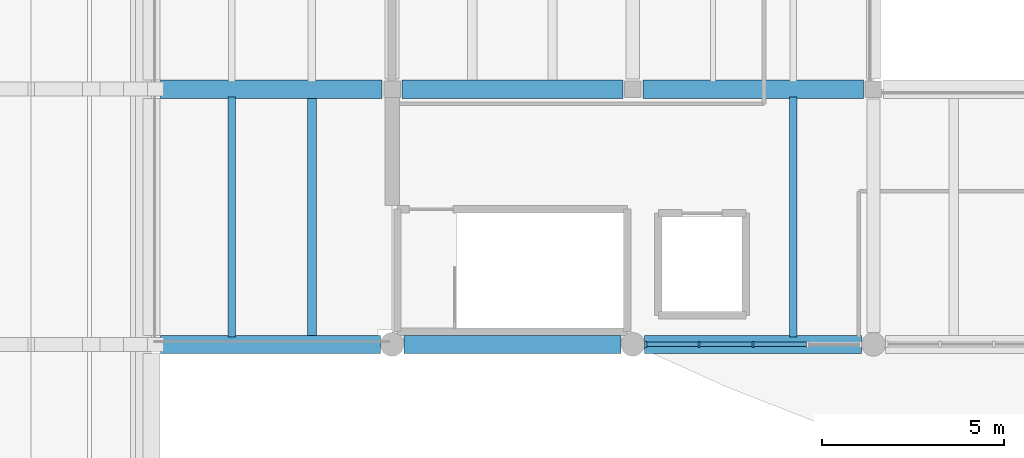
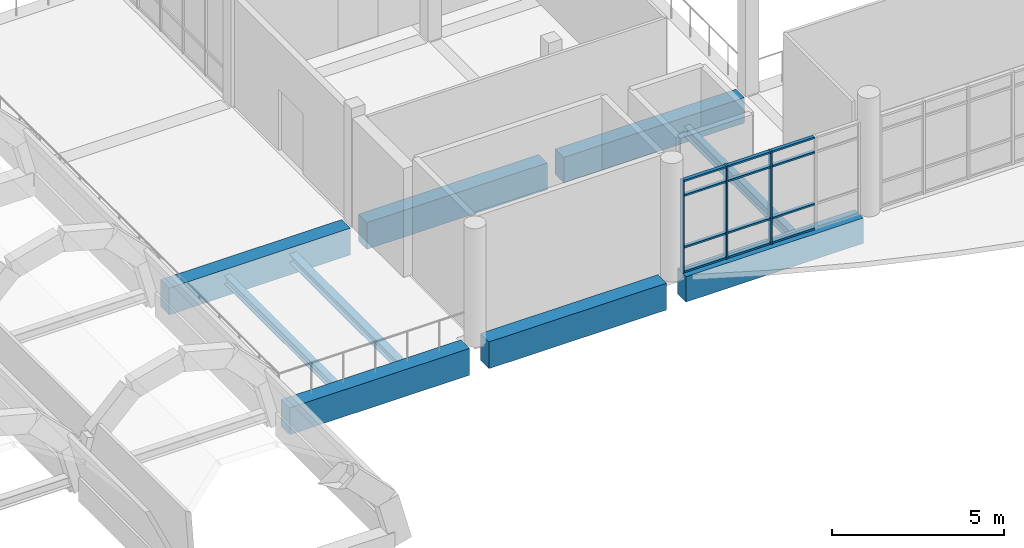
# One storey, part 3 of 92: 15 members, 9 beams, 1 element without a shape of its own.
"""IFC4 building model written with IfcOpenShell, lengths in metres."""

import ifcopenshell
import ifcopenshell.guid

model = None  # the IFC model being written
_history = None  # IfcOwnerHistory: only IFC2X3 demands one
_inside = {}  # id of a spatial element -> (the spatial element, [elements in it])
_under = {}  # id of a project, library or spatial element -> (it, [spatial elements below it])
_declared = {}  # id of a project -> (the project, [libraries it declares])
_typed = {}  # id of a type object -> (the type object, [elements of that type])
_made_of = {}  # id of a material, layer set ... -> (it, [elements and type objects made of it])


def new_model(schema):
    """Start an empty IFC model of exactly this schema.

    Asked for "IFC4X3", IfcOpenShell would pick the latest addendum, in which some entities
    have other attributes; the version numbers below select the first issue.
    IFC2X3 requires an IfcOwnerHistory on every rooted entity: one is made here for all.
    """
    global model, _history
    if schema == "IFC4X3":
        model = ifcopenshell.file(schema_version=(4, 3, 0, 0))
    else:
        model = ifcopenshell.file(schema=schema)
    _inside.clear()
    _under.clear()
    _declared.clear()
    _typed.clear()
    _made_of.clear()
    _history = None
    if model.schema == "IFC2X3":
        org = make("IfcOrganization", Name="unknown")
        user = make(
            "IfcPersonAndOrganization",
            ThePerson=make("IfcPerson", FamilyName="unknown"),
            TheOrganization=org,
        )
        app = make(
            "IfcApplication",
            ApplicationDeveloper=org,
            Version="unknown",
            ApplicationFullName="unknown",
            ApplicationIdentifier="unknown",
        )
        _history = make(
            "IfcOwnerHistory",
            OwningUser=user,
            OwningApplication=app,
            ChangeAction="ADDED",
            CreationDate=0,
        )
    return model


def make(cls, **values):
    """One entity of the class cls with the attributes given. An attribute that is None is left unset."""
    return model.create_entity(
        cls, **{name: value for name, value in values.items() if value is not None}
    )


def rooted(cls, **values):
    """An entity with a GlobalId (a new one), such as an element, a storey or a relation."""
    return make(cls, GlobalId=ifcopenshell.guid.new(), OwnerHistory=_history, **values)


def si_unit(unit_type, name, prefix=None):
    """IfcSIUnit, for example si_unit("LENGTHUNIT", "METRE", prefix="MILLI")."""
    return make("IfcSIUnit", UnitType=unit_type, Prefix=prefix, Name=name)


def assignment(units):
    """IfcUnitAssignment: the units of a project."""
    return None if units is None else make("IfcUnitAssignment", Units=units)


def point(xyz):
    """IfcCartesianPoint."""
    return None if xyz is None else make("IfcCartesianPoint", Coordinates=xyz)


def direction(xyz):
    """IfcDirection."""
    return None if xyz is None else make("IfcDirection", DirectionRatios=xyz)


def frame(location, z_axis=None, x_axis=None):
    """IfcAxis2Placement3D, a coordinate frame: its origin and axes. An axis left out is left unset."""
    return make(
        "IfcAxis2Placement3D",
        Location=point(location),
        Axis=direction(z_axis),
        RefDirection=direction(x_axis),
    )


def frame_2d(location, x_axis=None):
    """IfcAxis2Placement2D, a coordinate frame in the plane: its origin and x axis."""
    return make(
        "IfcAxis2Placement2D", Location=point(location), RefDirection=direction(x_axis)
    )


def origin():
    """The frame at (0, 0, 0) with its axes left unset."""
    return frame((0.0, 0.0, 0.0))


def origin_2d():
    """The frame at (0, 0) in the plane with its x axis left unset."""
    return frame_2d((0.0, 0.0))


def place(relative_to, where):
    """IfcLocalPlacement: puts the frame where relative to a parent placement (None: the world)."""
    return make(
        "IfcLocalPlacement", PlacementRelTo=relative_to, RelativePlacement=where
    )


def context(
    kind, dimensions, precision=None, world=None, true_north=None, identifier=None
):
    """IfcGeometricRepresentationContext, for example the 3D "Model" context."""
    return make(
        "IfcGeometricRepresentationContext",
        ContextIdentifier=identifier,
        ContextType=kind,
        CoordinateSpaceDimension=dimensions,
        Precision=precision,
        WorldCoordinateSystem=world,
        TrueNorth=true_north,
    )


def subcontext(parent, identifier, kind, view, scale=None):
    """IfcGeometricRepresentationSubContext, for example "Body" below "Model"."""
    return make(
        "IfcGeometricRepresentationSubContext",
        ContextIdentifier=identifier,
        ContextType=kind,
        ParentContext=parent,
        TargetScale=scale,
        TargetView=view,
    )


def project(units=None, contexts=None):
    """IfcProject with its units and contexts."""
    return rooted(
        "IfcProject",
        Name="project",
        RepresentationContexts=contexts,
        UnitsInContext=assignment(units),
    )


def spatial(cls, under=None, at=None, **own):
    """A site, building, storey or space (cls), placed at a placement, below another one or the project."""
    s = rooted(cls, ObjectPlacement=at, **own)
    if under is not None:
        _under.setdefault(under.id(), (under, []))[1].append(s)
    return s


def profile(cls, at=None, kind="AREA", **sizes):
    """A parametric profile (cls). Its sizes go by their IFC names, for example OverallWidth=200.0."""
    return make(cls, ProfileType=kind, Position=at, **sizes)


def rectangle(**sizes):
    """IfcRectangleProfileDef."""
    return profile("IfcRectangleProfileDef", **sizes)


def i_section(**sizes):
    """IfcIShapeProfileDef."""
    return profile("IfcIShapeProfileDef", **sizes)


def extrude(swept, where, along, depth):
    """IfcExtrudedAreaSolid: the profile swept, set in the frame where, extruded along a direction by depth."""
    return make(
        "IfcExtrudedAreaSolid",
        SweptArea=swept,
        Position=where,
        ExtrudedDirection=direction(along),
        Depth=depth,
    )


def shape(context_of_items, identifier, shape_type, items):
    """IfcShapeRepresentation: the items that make up one representation, for example the "Body"."""
    return make(
        "IfcShapeRepresentation",
        ContextOfItems=context_of_items,
        RepresentationIdentifier=identifier,
        RepresentationType=shape_type,
        Items=items,
    )


def material(Name=None, Category=None):
    """IfcMaterial."""
    return make("IfcMaterial", Name=Name, Category=Category)


def material_profile(
    of_material, cross_section, Name=None, Category=None, Priority=None
):
    """IfcMaterialProfile: a cross section and its material."""
    return make(
        "IfcMaterialProfile",
        Name=Name,
        Material=of_material,
        Profile=cross_section,
        Priority=Priority,
        Category=Category,
    )


def profile_set(profiles, Name=None, composite=None):
    """IfcMaterialProfileSet."""
    return make(
        "IfcMaterialProfileSet",
        Name=Name,
        MaterialProfiles=profiles,
        CompositeProfile=composite,
    )


def made_of(thing, what):
    """Note that an element or type object is made of a material, layer set ...; save() writes the relation."""
    if what is not None:
        _made_of.setdefault(what.id(), (what, []))[1].append(thing)
    return thing


def type_object(cls, material=None, **own):
    """A type object (cls), such as IfcWallType, which elements share."""
    return made_of(rooted(cls, **own), material)


def element(
    cls,
    number,
    at=None,
    inside=None,
    cuts=None,
    type_object=None,
    material=None,
    context=None,
    identifier="Body",
    shape_type=None,
    held_by="IfcProductDefinitionShape",
    body=None,
    shapes=None,
    **own,
):
    """One element of the class cls, such as IfcWall. Its Tag is "e" and its number.

    at: its placement. inside: the storey or other place that contains it. cuts: it is an
    opening in that element (IfcRelVoidsElement). A single representation is given by context,
    identifier, shape_type and body (its items); several are given by shapes. held_by: the class
    of the entity that holds the representations. save() writes the other relations.
    """
    e = rooted(cls, Tag="e%d" % number, ObjectPlacement=at, **own)
    if body is not None:
        shapes = [shape(context, identifier, shape_type, body)]
    if shapes is not None:
        e.Representation = make(held_by, Representations=shapes)
    if inside is not None:
        _inside.setdefault(inside.id(), (inside, []))[1].append(e)
    if cuts is not None:
        rooted(
            "IfcRelVoidsElement", RelatingBuildingElement=cuts, RelatedOpeningElement=e
        )
    if type_object is not None:
        _typed.setdefault(type_object.id(), (type_object, []))[1].append(e)
    return made_of(e, material)


def aggregate(whole, parts):
    """IfcRelAggregates: a whole, such as a stair, and the parts it consists of."""
    return rooted("IfcRelAggregates", RelatingObject=whole, RelatedObjects=parts)


def save(model, path):
    """Write the relations noted so far, then the file.

    IfcRelAggregates (storeys below a building ...), IfcRelContainedInSpatialStructure (elements
    in a storey), IfcRelDefinesByType, IfcRelAssociatesMaterial and IfcRelDeclares: one each for
    every whole, place, type object, material and project.
    """
    for whole, parts in _under.values():
        aggregate(whole, parts)
    for where, things in _inside.values():
        rooted(
            "IfcRelContainedInSpatialStructure",
            RelatedElements=things,
            RelatingStructure=where,
        )
    for kind, things in _typed.values():
        rooted("IfcRelDefinesByType", RelatedObjects=things, RelatingType=kind)
    for what, things in _made_of.values():
        rooted("IfcRelAssociatesMaterial", RelatedObjects=things, RelatingMaterial=what)
    for by, libraries in _declared.values():
        rooted("IfcRelDeclares", RelatingContext=by, RelatedDefinitions=libraries)
    model.write(path)


model = new_model("IFC4")

# Units and contexts
model_context = context("Model", 3, precision=1e-05, world=origin(), true_north=direction((0.0, 1.0)))
body_context = subcontext(model_context, "Body", "Model", "MODEL_VIEW")
ifc_project = project(units=[si_unit("LENGTHUNIT", "METRE"), si_unit("AREAUNIT", "SQUARE_METRE"), si_unit("VOLUMEUNIT", "CUBIC_METRE"), si_unit("PLANEANGLEUNIT", "RADIAN"), si_unit("MASSUNIT", "GRAM", prefix="KILO")], contexts=[model_context])

# Site, building, storey
site_placement = place(None, origin())
site = spatial("IfcSite", under=ifc_project, at=site_placement, CompositionType="ELEMENT")
building_placement = place(site_placement, origin())
building = spatial("IfcBuilding", under=site, at=building_placement, Name="Ciguamira Faculty of Natural Sciences", CompositionType="ELEMENT")
storey_placement = place(building_placement, frame((0.0, 0.0, 16.800048828125)))
storey = spatial("IfcBuildingStorey", under=building, at=storey_placement, Name="L04", CompositionType="ELEMENT", Elevation=16.800048828125)

# Curtain wall, members
ifc_material_1 = material(Name="Anodized aluminium curtain wall", Category="aluminium")
curtain_wall_type = type_object("IfcCurtainWallType", Name="CurtainWall_CW-10", PredefinedType="USERDEFINED", material=ifc_material_1)
curtain_wall_placement = place(storey_placement, origin())
curtain_wall = element("IfcCurtainWall", 1, at=curtain_wall_placement, inside=storey, type_object=curtain_wall_type, Name="L04 unitised curtain wall 0106", ObjectType="UNITISED CURTAIN WALL", PredefinedType="USERDEFINED")
ifc_material_2 = material(Name="Anodized aluminium mullion", Category="aluminium")
ifc_material_profile_1 = material_profile(ifc_material_2, rectangle(XDim=0.06005859375, YDim=0.159912109375, at=origin_2d()), Name="ALU-MUL-60X160")
ifc_profile_set_1 = profile_set([ifc_material_profile_1], Name="Anodized aluminium mullion")
member_type_1 = type_object("IfcMemberType", Name="CWMullion_CWM-01", PredefinedType="MULLION", material=ifc_profile_set_1)
member_1_placement = place(storey_placement, frame((64.2548828125, 10.0, 0.0), z_axis=(0.0, 0.0, 1.0), x_axis=(1.0, 0.0, 0.0)))
member_1 = element("IfcMember", 2, at=member_1_placement, type_object=member_type_1, Name="CW-10 mullion 1", PredefinedType="MULLION", context=body_context, shape_type="SweptSolid", body=[
    extrude(rectangle(XDim=0.06005859375, YDim=0.159912109375, at=origin_2d()), origin(), (0.0, 0.0, 1.0), 3.284912109375),
])
member_2_placement = place(storey_placement, frame((65.71240234375, 10.0, 0.0), z_axis=(0.0, 0.0, 1.0), x_axis=(1.0, 0.0, 0.0)))
member_2 = element("IfcMember", 3, at=member_2_placement, type_object=member_type_1, Name="CW-10 mullion 2", PredefinedType="MULLION", context=body_context, shape_type="SweptSolid", body=[
    extrude(rectangle(XDim=0.06005859375, YDim=0.159912109375, at=origin_2d()), origin(), (0.0, 0.0, 1.0), 3.284912109375),
])
member_3_placement = place(storey_placement, frame((67.199951171875, 10.0, 0.0), z_axis=(0.0, 0.0, 1.0), x_axis=(1.0, 0.0, 0.0)))
member_3 = element("IfcMember", 4, at=member_3_placement, type_object=member_type_1, Name="CW-10 mullion 3", PredefinedType="MULLION", context=body_context, shape_type="SweptSolid", body=[
    extrude(rectangle(XDim=0.06005859375, YDim=0.159912109375, at=origin_2d()), origin(), (0.0, 0.0, 1.0), 3.284912109375),
])
ifc_material_3 = material(Name="Anodized aluminium transom", Category="aluminium")
ifc_material_profile_2 = material_profile(ifc_material_3, rectangle(XDim=0.06005859375, YDim=0.1201171875, at=origin_2d()), Name="ALU-TRN-60X120")
ifc_profile_set_2 = profile_set([ifc_material_profile_2], Name="Anodized aluminium transom")
member_type_2 = type_object("IfcMemberType", Name="CWTransom_CWT-01", PredefinedType="USERDEFINED", material=ifc_profile_set_2)
member_4_placement = place(storey_placement, frame((64.284912109375, 10.0, 0.030029296875), z_axis=(1.0, 0.0, 0.0), x_axis=(0.0, 0.0, 1.0)))
member_4 = element("IfcMember", 5, at=member_4_placement, type_object=member_type_2, Name="CW-10 transom 1.1", ObjectType="TRANSOM", PredefinedType="USERDEFINED", context=body_context, shape_type="SweptSolid", body=[
    extrude(rectangle(XDim=0.06005859375, YDim=0.1201171875, at=origin_2d()), origin(), (0.0, 0.0, 1.0), 1.397705078125),
])
member_5_placement = place(storey_placement, frame((64.284912109375, 10.0, 0.89990234375), z_axis=(1.0, 0.0, 0.0), x_axis=(0.0, 0.0, 1.0)))
member_5 = element("IfcMember", 6, at=member_5_placement, type_object=member_type_2, Name="CW-10 transom 1.2", ObjectType="TRANSOM", PredefinedType="USERDEFINED", context=body_context, shape_type="SweptSolid", body=[
    extrude(rectangle(XDim=0.06005859375, YDim=0.1201171875, at=origin_2d()), origin(), (0.0, 0.0, 1.0), 1.397705078125),
])
member_6_placement = place(storey_placement, frame((64.284912109375, 10.0, 2.73486328125), z_axis=(1.0, 0.0, 0.0), x_axis=(0.0, 0.0, 1.0)))
member_6 = element("IfcMember", 7, at=member_6_placement, type_object=member_type_2, Name="CW-10 transom 1.3", ObjectType="TRANSOM", PredefinedType="USERDEFINED", context=body_context, shape_type="SweptSolid", body=[
    extrude(rectangle(XDim=0.06005859375, YDim=0.1201171875, at=origin_2d()), origin(), (0.0, 0.0, 1.0), 1.397705078125),
])
member_7_placement = place(storey_placement, frame((64.284912109375, 10.0, 3.2548828125), z_axis=(1.0, 0.0, 0.0), x_axis=(0.0, 0.0, 1.0)))
member_7 = element("IfcMember", 8, at=member_7_placement, type_object=member_type_2, Name="CW-10 transom 1.4", ObjectType="TRANSOM", PredefinedType="USERDEFINED", context=body_context, shape_type="SweptSolid", body=[
    extrude(rectangle(XDim=0.06005859375, YDim=0.1201171875, at=origin_2d()), origin(), (0.0, 0.0, 1.0), 1.397705078125),
])
member_8_placement = place(storey_placement, frame((65.742431640625, 10.0, 0.030029296875), z_axis=(1.0, 0.0, 0.0), x_axis=(0.0, 0.0, 1.0)))
member_8 = element("IfcMember", 9, at=member_8_placement, type_object=member_type_2, Name="CW-10 transom 2.1", ObjectType="TRANSOM", PredefinedType="USERDEFINED", context=body_context, shape_type="SweptSolid", body=[
    extrude(rectangle(XDim=0.06005859375, YDim=0.1201171875, at=origin_2d()), origin(), (0.0, 0.0, 1.0), 1.427490234375),
])
member_9_placement = place(storey_placement, frame((65.742431640625, 10.0, 0.89990234375), z_axis=(1.0, 0.0, 0.0), x_axis=(0.0, 0.0, 1.0)))
member_9 = element("IfcMember", 10, at=member_9_placement, type_object=member_type_2, Name="CW-10 transom 2.2", ObjectType="TRANSOM", PredefinedType="USERDEFINED", context=body_context, shape_type="SweptSolid", body=[
    extrude(rectangle(XDim=0.06005859375, YDim=0.1201171875, at=origin_2d()), origin(), (0.0, 0.0, 1.0), 1.427490234375),
])
member_10_placement = place(storey_placement, frame((65.742431640625, 10.0, 2.73486328125), z_axis=(1.0, 0.0, 0.0), x_axis=(0.0, 0.0, 1.0)))
member_10 = element("IfcMember", 11, at=member_10_placement, type_object=member_type_2, Name="CW-10 transom 2.3", ObjectType="TRANSOM", PredefinedType="USERDEFINED", context=body_context, shape_type="SweptSolid", body=[
    extrude(rectangle(XDim=0.06005859375, YDim=0.1201171875, at=origin_2d()), origin(), (0.0, 0.0, 1.0), 1.427490234375),
])
member_11_placement = place(storey_placement, frame((65.742431640625, 10.0, 3.2548828125), z_axis=(1.0, 0.0, 0.0), x_axis=(0.0, 0.0, 1.0)))
member_11 = element("IfcMember", 12, at=member_11_placement, type_object=member_type_2, Name="CW-10 transom 2.4", ObjectType="TRANSOM", PredefinedType="USERDEFINED", context=body_context, shape_type="SweptSolid", body=[
    extrude(rectangle(XDim=0.06005859375, YDim=0.1201171875, at=origin_2d()), origin(), (0.0, 0.0, 1.0), 1.427490234375),
])
member_12_placement = place(storey_placement, frame((67.22998046875, 10.0, 0.030029296875), z_axis=(1.0, 0.0, 0.0), x_axis=(0.0, 0.0, 1.0)))
member_12 = element("IfcMember", 13, at=member_12_placement, type_object=member_type_2, Name="CW-10 transom 3.1", ObjectType="TRANSOM", PredefinedType="USERDEFINED", context=body_context, shape_type="SweptSolid", body=[
    extrude(rectangle(XDim=0.06005859375, YDim=0.1201171875, at=origin_2d()), origin(), (0.0, 0.0, 1.0), 1.427490234375),
])
member_13_placement = place(storey_placement, frame((67.22998046875, 10.0, 0.89990234375), z_axis=(1.0, 0.0, 0.0), x_axis=(0.0, 0.0, 1.0)))
member_13 = element("IfcMember", 14, at=member_13_placement, type_object=member_type_2, Name="CW-10 transom 3.2", ObjectType="TRANSOM", PredefinedType="USERDEFINED", context=body_context, shape_type="SweptSolid", body=[
    extrude(rectangle(XDim=0.06005859375, YDim=0.1201171875, at=origin_2d()), origin(), (0.0, 0.0, 1.0), 1.427490234375),
])
member_14_placement = place(storey_placement, frame((67.22998046875, 10.0, 2.73486328125), z_axis=(1.0, 0.0, 0.0), x_axis=(0.0, 0.0, 1.0)))
member_14 = element("IfcMember", 15, at=member_14_placement, type_object=member_type_2, Name="CW-10 transom 3.3", ObjectType="TRANSOM", PredefinedType="USERDEFINED", context=body_context, shape_type="SweptSolid", body=[
    extrude(rectangle(XDim=0.06005859375, YDim=0.1201171875, at=origin_2d()), origin(), (0.0, 0.0, 1.0), 1.427490234375),
])
member_15_placement = place(storey_placement, frame((67.22998046875, 10.0, 3.2548828125), z_axis=(1.0, 0.0, 0.0), x_axis=(0.0, 0.0, 1.0)))
member_15 = element("IfcMember", 16, at=member_15_placement, type_object=member_type_2, Name="CW-10 transom 3.4", ObjectType="TRANSOM", PredefinedType="USERDEFINED", context=body_context, shape_type="SweptSolid", body=[
    extrude(rectangle(XDim=0.06005859375, YDim=0.1201171875, at=origin_2d()), origin(), (0.0, 0.0, 1.0), 1.427490234375),
])
aggregate(curtain_wall, [member_1, member_2, member_3, member_4, member_5, member_6, member_7, member_8, member_9, member_10, member_11, member_12, member_13, member_14, member_15])

# Beams
ifc_material_4 = material(Name="Concrete C40/50", Category="concrete")
ifc_material_profile_3 = material_profile(ifc_material_4, rectangle(XDim=0.5, YDim=0.949951171875, at=origin_2d()), Name="RC-BM-500X950")
ifc_profile_set_3 = profile_set([ifc_material_profile_3], Name="Concrete C40/50")
beam_type_1 = type_object("IfcBeamType", Name="RCBeam_BG-02_RC-BM-500X950", PredefinedType="BEAM", material=ifc_profile_set_3)
beam_1_placement = place(storey_placement, frame((50.949951171875, 10.0, -0.47509765625), z_axis=(1.0, 0.0, 0.0), x_axis=(0.0, 1.0, 0.0)))
element("IfcBeam", 17, at=beam_1_placement, inside=storey, type_object=beam_type_1, Name="L04 RC girder EW-1323", PredefinedType="BEAM", context=body_context, shape_type="SweptSolid", body=[
    extrude(rectangle(XDim=0.5, YDim=0.949951171875, at=origin_2d()), origin(), (0.0, 0.0, 1.0), 6.025146484375),
])
beam_2_placement = place(storey_placement, frame((57.625, 10.0, -0.47509765625), z_axis=(1.0, 0.0, 0.0), x_axis=(0.0, 1.0, 0.0)))
element("IfcBeam", 18, at=beam_2_placement, inside=storey, type_object=beam_type_1, Name="L04 RC girder EW-1324", PredefinedType="BEAM", context=body_context, shape_type="SweptSolid", body=[
    extrude(rectangle(XDim=0.5, YDim=0.949951171875, at=origin_2d()), origin(), (0.0, 0.0, 1.0), 5.949951171875),
])
beam_3_placement = place(storey_placement, frame((50.949951171875, 17.0, -0.47509765625), z_axis=(1.0, 0.0, 0.0), x_axis=(0.0, 1.0, 0.0)))
element("IfcBeam", 19, at=beam_3_placement, inside=storey, type_object=beam_type_1, Name="L04 RC girder EW-1334", PredefinedType="BEAM", context=body_context, shape_type="SweptSolid", body=[
    extrude(rectangle(XDim=0.5, YDim=0.949951171875, at=origin_2d()), origin(), (0.0, 0.0, 1.0), 6.074951171875),
])
beam_4_placement = place(storey_placement, frame((57.574951171875, 17.0, -0.47509765625), z_axis=(1.0, 0.0, 0.0), x_axis=(0.0, 1.0, 0.0)))
element("IfcBeam", 20, at=beam_4_placement, inside=storey, type_object=beam_type_1, Name="L04 RC girder EW-1335", PredefinedType="BEAM", context=body_context, shape_type="SweptSolid", body=[
    extrude(rectangle(XDim=0.5, YDim=0.949951171875, at=origin_2d()), origin(), (0.0, 0.0, 1.0), 6.050048828125),
])
ifc_material_profile_4 = material_profile(ifc_material_4, rectangle(XDim=0.5, YDim=0.89990234375, at=origin_2d()), Name="RC-BM-500X900")
ifc_profile_set_4 = profile_set([ifc_material_profile_4], Name="Concrete C40/50")
beam_type_2 = type_object("IfcBeamType", Name="RCBeam_BG-03_RC-BM-500X900", PredefinedType="BEAM", material=ifc_profile_set_4)
beam_5_placement = place(storey_placement, frame((64.22509765625, 10.0, -0.449951171875), z_axis=(1.0, 0.0, 0.0), x_axis=(0.0, 1.0, 0.0)))
element("IfcBeam", 21, at=beam_5_placement, inside=storey, type_object=beam_type_2, Name="L04 RC girder EW-1325", PredefinedType="BEAM", context=body_context, shape_type="SweptSolid", body=[
    extrude(rectangle(XDim=0.5, YDim=0.89990234375, at=origin_2d()), origin(), (0.0, 0.0, 1.0), 5.949951171875),
])
beam_6_placement = place(storey_placement, frame((64.175048828125, 17.0, -0.449951171875), z_axis=(1.0, 0.0, 0.0), x_axis=(0.0, 1.0, 0.0)))
element("IfcBeam", 22, at=beam_6_placement, inside=storey, type_object=beam_type_2, Name="L04 RC girder EW-1336", PredefinedType="BEAM", context=body_context, shape_type="SweptSolid", body=[
    extrude(rectangle(XDim=0.5, YDim=0.89990234375, at=origin_2d()), origin(), (0.0, 0.0, 1.0), 6.050048828125),
])
ifc_material_5 = material(Name="Steel ASTM A992 Grade 50", Category="steel")
ifc_material_profile_5 = material_profile(ifc_material_5, i_section(OverallWidth=0.20458984375, OverallDepth=0.307373046875, WebThickness=0.008544921875, FlangeThickness=0.0146484375, at=origin_2d()), Name="W12X45")
ifc_profile_set_5 = profile_set([ifc_material_profile_5], Name="Steel ASTM A992 Grade 50")
beam_type_3 = type_object("IfcBeamType", Name="SteelJoist_SJ-06_W12X45", PredefinedType="JOIST", material=ifc_profile_set_5)
beam_7_placement = place(storey_placement, frame((52.89990234375, 10.2099609375, -0.353759765625), z_axis=(0.0, 1.0, 0.0), x_axis=(-1.0, 0.0, 0.0)))
element("IfcBeam", 23, at=beam_7_placement, inside=storey, type_object=beam_type_3, Name="L04 composite steel joist 01269", PredefinedType="JOIST", context=body_context, shape_type="SweptSolid", body=[
    extrude(i_section(OverallWidth=0.20458984375, OverallDepth=0.307373046875, WebThickness=0.008544921875, FlangeThickness=0.0146484375, at=origin_2d()), origin(), (0.0, 0.0, 1.0), 6.580078125),
])
ifc_material_profile_6 = material_profile(ifc_material_5, i_section(OverallWidth=0.25390625, OverallDepth=0.307373046875, WebThickness=0.0087890625, FlangeThickness=0.0146484375, at=origin_2d()), Name="W12X53")
ifc_profile_set_6 = profile_set([ifc_material_profile_6], Name="Steel ASTM A992 Grade 50")
beam_type_4 = type_object("IfcBeamType", Name="SteelJoist_SJ-07_W12X53", PredefinedType="JOIST", material=ifc_profile_set_6)
beam_8_placement = place(storey_placement, frame((55.10009765625, 10.2099609375, -0.353759765625), z_axis=(0.0, 1.0, 0.0), x_axis=(-1.0, 0.0, 0.0)))
element("IfcBeam", 24, at=beam_8_placement, inside=storey, type_object=beam_type_4, Name="L04 composite steel joist 01270", PredefinedType="JOIST", context=body_context, shape_type="SweptSolid", body=[
    extrude(i_section(OverallWidth=0.25390625, OverallDepth=0.307373046875, WebThickness=0.0087890625, FlangeThickness=0.0146484375, at=origin_2d()), origin(), (0.0, 0.0, 1.0), 6.580078125),
])
ifc_material_profile_7 = material_profile(ifc_material_5, i_section(OverallWidth=0.204833984375, OverallDepth=0.35302734375, WebThickness=0.00927734375, FlangeThickness=0.016845703125, at=origin_2d()), Name="W14X53")
ifc_profile_set_7 = profile_set([ifc_material_profile_7], Name="Steel ASTM A992 Grade 50")
beam_type_5 = type_object("IfcBeamType", Name="SteelJoist_SJ-13_W14X53", PredefinedType="JOIST", material=ifc_profile_set_7)
beam_9_placement = place(storey_placement, frame((68.300048828125, 10.2099609375, -0.4765625), z_axis=(0.0, 1.0, 0.0), x_axis=(-1.0, 0.0, 0.0)))
element("IfcBeam", 25, at=beam_9_placement, inside=storey, type_object=beam_type_5, Name="L04 composite steel joist 01283", PredefinedType="JOIST", context=body_context, shape_type="SweptSolid", body=[
    extrude(i_section(OverallWidth=0.204833984375, OverallDepth=0.35302734375, WebThickness=0.00927734375, FlangeThickness=0.016845703125, at=origin_2d()), origin(), (0.0, 0.0, 1.0), 6.580078125),
])

save(model, "model.ifc")
